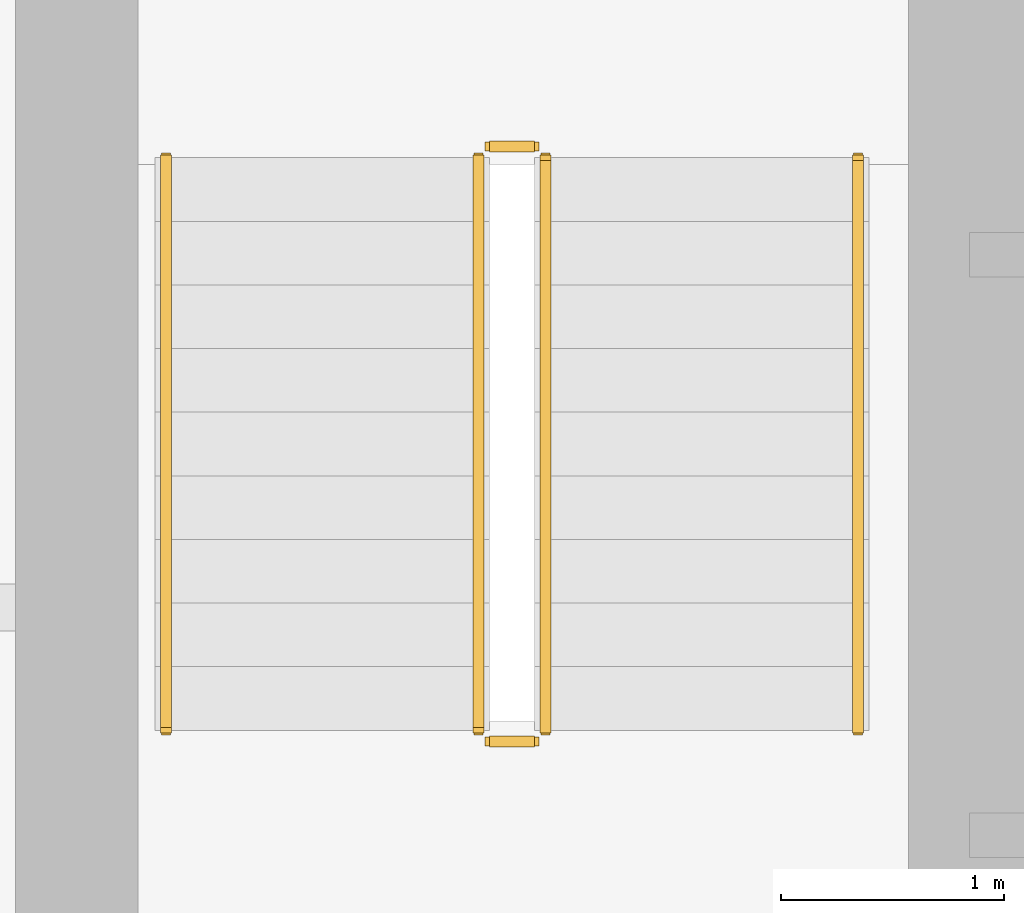
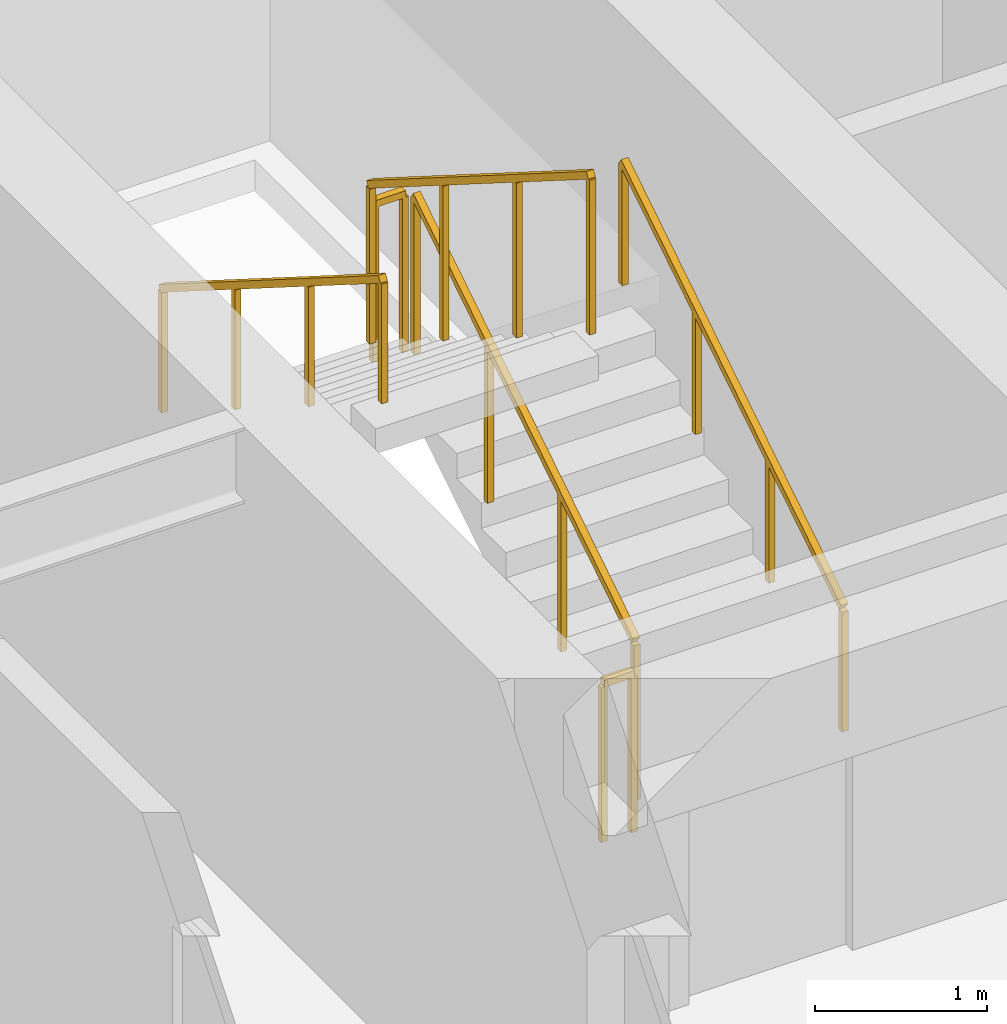
# One storey, part 22 of 24: 6 railings.
"""IFC4 building model written with IfcOpenShell, lengths in metres."""

from ifc_helpers import new_model, si_unit, direction, frame, origin, origin_2d, place, context, subcontext, project, spatial, rectangle, extrude, material, type_object, element, save


model = new_model("IFC4")

# Units and contexts
model_context = context("Model", 3, precision=1e-05, world=origin(), true_north=direction((0.0, 1.0)))
body_context = subcontext(model_context, "Body", "Model", "MODEL_VIEW")
ifc_project = project(units=[si_unit("LENGTHUNIT", "METRE"), si_unit("AREAUNIT", "SQUARE_METRE"), si_unit("VOLUMEUNIT", "CUBIC_METRE"), si_unit("PLANEANGLEUNIT", "RADIAN"), si_unit("MASSUNIT", "GRAM", prefix="KILO")], contexts=[model_context])

# Site, building, storey
site_placement = place(None, origin())
site = spatial("IfcSite", under=ifc_project, at=site_placement, CompositionType="ELEMENT")
building_placement = place(site_placement, origin())
building = spatial("IfcBuilding", under=site, at=building_placement, Name="Sarneth Arch Tower", CompositionType="ELEMENT")
storey_placement = place(building_placement, frame((0.0, 0.0, 120.0)))
storey = spatial("IfcBuildingStorey", under=building, at=storey_placement, Name="L30", CompositionType="ELEMENT", Elevation=120.0)

# Railings
ifc_material_1 = material(Name="Brushed Stainless Steel 304 tubular handrail", Category="steel")
railing_type_1 = type_object("IfcRailingType", Name="RAIL-HANDRAIL-900", PredefinedType="HANDRAIL", material=ifc_material_1)
railing_1_placement = place(storey_placement, frame((40.5, 41.449951171875, 0.179931640625)))
element("IfcRailing", 1, at=railing_1_placement, inside=storey, type_object=railing_type_1, Name="L30 ST-1 stair handrail 1", PredefinedType="HANDRAIL", context=body_context, shape_type="SweptSolid", body=[
    extrude(rectangle(XDim=0.048095703125, YDim=0.048095703125, at=origin_2d()), frame((0.0, 0.0, 0.8759765625), z_axis=(0.0, 0.845465955043, 0.534029323973), x_axis=(-1.0, 0.0, 0.0)), (0.0, 0.0, 1.0), 3.03369140625),
    extrude(rectangle(XDim=0.0419921875, YDim=0.0419921875, at=origin_2d()), origin(), (0.0, 0.0, 1.0), 0.851806640625),
    extrude(rectangle(XDim=0.0419921875, YDim=0.0419921875, at=origin_2d()), frame((0.0, 0.85498046875, 0.5400390625)), (0.0, 0.0, 1.0), 0.851806640625),
    extrude(rectangle(XDim=0.0419921875, YDim=0.0419921875, at=origin_2d()), frame((0.0, 1.7099609375, 1.080078125)), (0.0, 0.0, 1.0), 0.851806640625),
    extrude(rectangle(XDim=0.0419921875, YDim=0.0419921875, at=origin_2d()), frame((0.0, 2.56494140625, 1.6201171875)), (0.0, 0.0, 1.0), 0.851806640625),
])
railing_2_placement = place(storey_placement, frame((37.39990234375, 44.014892578125, 1.97998046875)))
element("IfcRailing", 2, at=railing_2_placement, inside=storey, type_object=railing_type_1, Name="L30 ST-1 stair handrail 2", PredefinedType="HANDRAIL", context=body_context, shape_type="SweptSolid", body=[
    extrude(rectangle(XDim=0.048095703125, YDim=0.048095703125, at=origin_2d()), frame((0.0, 0.0, 0.8759765625), z_axis=(0.0, -0.845465955043, 0.534029323973), x_axis=(1.0, 0.0, 0.0)), (0.0, 0.0, 1.0), 3.03369140625),
    extrude(rectangle(XDim=0.0419921875, YDim=0.0419921875, at=origin_2d()), origin(), (0.0, 0.0, 1.0), 0.851806640625),
    extrude(rectangle(XDim=0.0419921875, YDim=0.0419921875, at=origin_2d()), frame((0.0, -0.85498046875, 0.5400390625)), (0.0, 0.0, 1.0), 0.851806640625),
    extrude(rectangle(XDim=0.0419921875, YDim=0.0419921875, at=origin_2d()), frame((0.0, -1.7099609375, 1.080078125)), (0.0, 0.0, 1.0), 0.851806640625),
    extrude(rectangle(XDim=0.0419921875, YDim=0.0419921875, at=origin_2d()), frame((0.0, -2.56494140625, 1.6201171875)), (0.0, 0.0, 1.0), 0.851806640625),
])
ifc_material_2 = material(Name="Painted Steel S275 stair well guard", Category="steel")
railing_type_2 = type_object("IfcRailingType", Name="RAIL-STAIR-GUARD", PredefinedType="GUARDRAIL", material=ifc_material_2)
railing_3_placement = place(storey_placement, frame((39.10009765625, 41.449951171875, 0.179931640625)))
element("IfcRailing", 3, at=railing_3_placement, inside=storey, type_object=railing_type_2, Name="L30 ST-1 stair guard 1", PredefinedType="GUARDRAIL", context=body_context, shape_type="SweptSolid", body=[
    extrude(rectangle(XDim=0.048095703125, YDim=0.048095703125, at=origin_2d()), frame((0.0, 0.0, 1.1259765625), z_axis=(0.0, 0.845465955043, 0.534029323973), x_axis=(-1.0, 0.0, 0.0)), (0.0, 0.0, 1.0), 3.03369140625),
    extrude(rectangle(XDim=0.0419921875, YDim=0.0419921875, at=origin_2d()), origin(), (0.0, 0.0, 1.0), 1.101806640625),
    extrude(rectangle(XDim=0.0419921875, YDim=0.0419921875, at=origin_2d()), frame((0.0, 0.85498046875, 0.5400390625)), (0.0, 0.0, 1.0), 1.101806640625),
    extrude(rectangle(XDim=0.0419921875, YDim=0.0419921875, at=origin_2d()), frame((0.0, 1.7099609375, 1.080078125)), (0.0, 0.0, 1.0), 1.101806640625),
    extrude(rectangle(XDim=0.0419921875, YDim=0.0419921875, at=origin_2d()), frame((0.0, 2.56494140625, 1.6201171875)), (0.0, 0.0, 1.0), 1.101806640625),
])
railing_4_placement = place(storey_placement, frame((39.050048828125, 44.06494140625, 1.800048828125)))
element("IfcRailing", 4, at=railing_4_placement, inside=storey, type_object=railing_type_2, Name="L30 ST-1 stair guard 2", PredefinedType="GUARDRAIL", context=body_context, shape_type="SweptSolid", body=[
    extrude(rectangle(XDim=0.048095703125, YDim=0.048095703125, at=origin_2d()), frame((0.0, 0.0, 1.1259765625), z_axis=(-1.0, 0.0, 0.0), x_axis=(0.0, -1.0, 0.0)), (0.0, 0.0, 1.0), 0.199951171875),
    extrude(rectangle(XDim=0.0419921875, YDim=0.0419921875, at=origin_2d()), origin(), (0.0, 0.0, 1.0), 1.101806640625),
    extrude(rectangle(XDim=0.0419921875, YDim=0.0419921875, at=origin_2d()), frame((-0.199951171875, 0.0, 0.0)), (0.0, 0.0, 1.0), 1.101806640625),
])
railing_5_placement = place(storey_placement, frame((38.800048828125, 44.014892578125, 1.97998046875)))
element("IfcRailing", 5, at=railing_5_placement, inside=storey, type_object=railing_type_2, Name="L30 ST-1 stair guard 3", PredefinedType="GUARDRAIL", context=body_context, shape_type="SweptSolid", body=[
    extrude(rectangle(XDim=0.048095703125, YDim=0.048095703125, at=origin_2d()), frame((0.0, 0.0, 1.1259765625), z_axis=(0.0, -0.845465955043, 0.534029323973), x_axis=(1.0, 0.0, 0.0)), (0.0, 0.0, 1.0), 3.03369140625),
    extrude(rectangle(XDim=0.0419921875, YDim=0.0419921875, at=origin_2d()), origin(), (0.0, 0.0, 1.0), 1.101806640625),
    extrude(rectangle(XDim=0.0419921875, YDim=0.0419921875, at=origin_2d()), frame((0.0, -0.85498046875, 0.5400390625)), (0.0, 0.0, 1.0), 1.101806640625),
    extrude(rectangle(XDim=0.0419921875, YDim=0.0419921875, at=origin_2d()), frame((0.0, -1.7099609375, 1.080078125)), (0.0, 0.0, 1.0), 1.101806640625),
    extrude(rectangle(XDim=0.0419921875, YDim=0.0419921875, at=origin_2d()), frame((0.0, -2.56494140625, 1.6201171875)), (0.0, 0.0, 1.0), 1.101806640625),
])
railing_6_placement = place(storey_placement, frame((39.050048828125, 41.39990234375, 0.0)))
element("IfcRailing", 6, at=railing_6_placement, inside=storey, type_object=railing_type_2, Name="L30 ST-1 stair guard 4", PredefinedType="GUARDRAIL", context=body_context, shape_type="SweptSolid", body=[
    extrude(rectangle(XDim=0.048095703125, YDim=0.048095703125, at=origin_2d()), frame((0.0, 0.0, 1.1259765625), z_axis=(-1.0, 0.0, 0.0), x_axis=(0.0, -1.0, 0.0)), (0.0, 0.0, 1.0), 0.199951171875),
    extrude(rectangle(XDim=0.0419921875, YDim=0.0419921875, at=origin_2d()), origin(), (0.0, 0.0, 1.0), 1.101806640625),
    extrude(rectangle(XDim=0.0419921875, YDim=0.0419921875, at=origin_2d()), frame((-0.199951171875, 0.0, 0.0)), (0.0, 0.0, 1.0), 1.101806640625),
])

save(model, "model.ifc")
